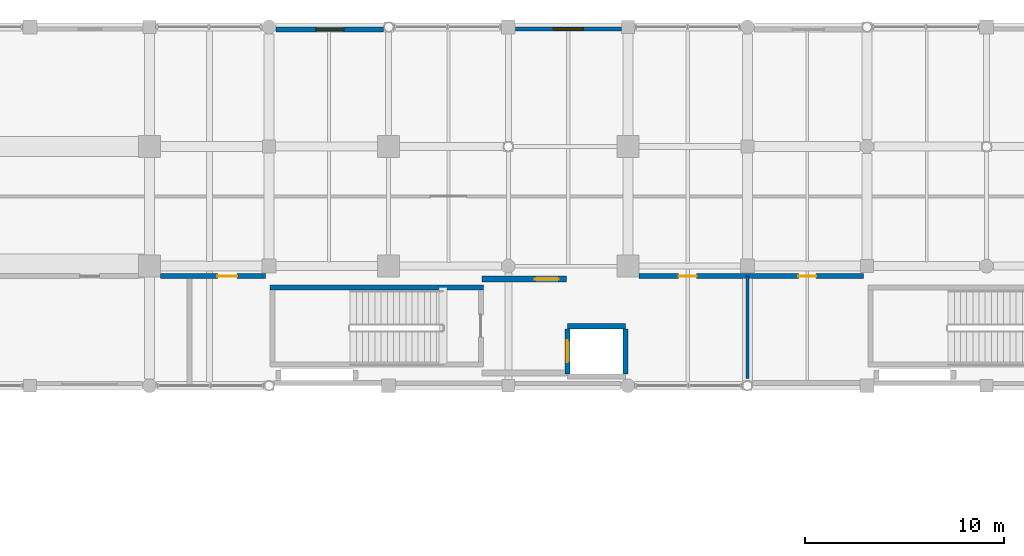
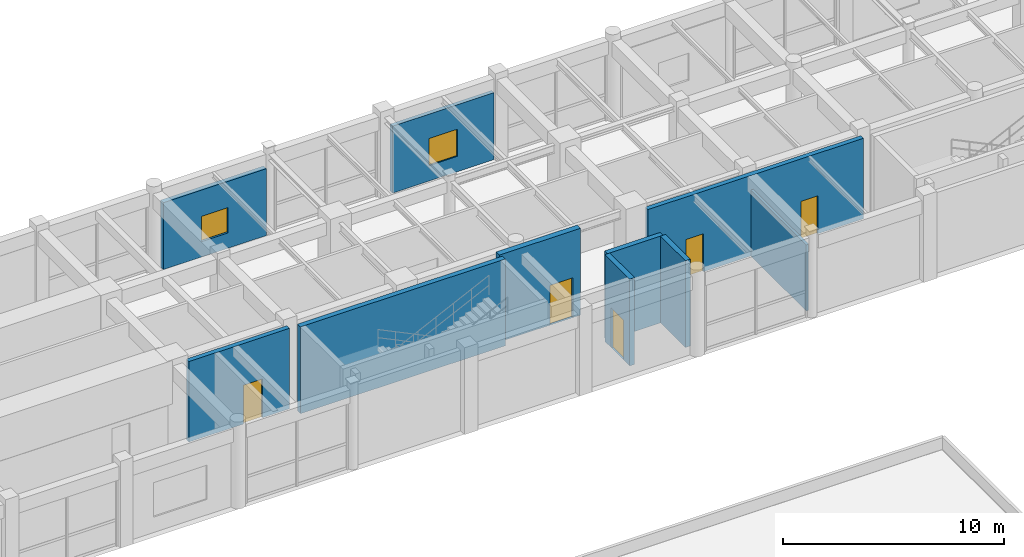
# One storey, part 101 of 123: 10 walls, 5 doors, 2 windows, 7 openings.
"""IFC4 building model written with IfcOpenShell, lengths in metres."""

from ifc_helpers import new_model, si_unit, direction, frame, frame_2d, origin, place, context, subcontext, project, spatial, rectangle, extrude, material, layer, layer_set, type_object, element, fill, save


model = new_model("IFC4")

# Units and contexts
model_context = context("Model", 3, precision=1e-05, world=origin(), true_north=direction((0.0, 1.0)))
body_context = subcontext(model_context, "Body", "Model", "MODEL_VIEW")
ifc_project = project(units=[si_unit("LENGTHUNIT", "METRE"), si_unit("AREAUNIT", "SQUARE_METRE"), si_unit("VOLUMEUNIT", "CUBIC_METRE"), si_unit("PLANEANGLEUNIT", "RADIAN"), si_unit("MASSUNIT", "GRAM", prefix="KILO"), si_unit("THERMODYNAMICTEMPERATUREUNIT", "KELVIN"), si_unit("POWERUNIT", "WATT")], contexts=[model_context])

# Site, building, storey
site_placement = place(None, origin())
site = spatial("IfcSite", under=ifc_project, at=site_placement, CompositionType="ELEMENT")
building_placement = place(site_placement, origin())
building = spatial("IfcBuilding", under=site, at=building_placement, Name="Phaisarnlok Congress Hotel", CompositionType="ELEMENT")
storey_placement = place(building_placement, frame((0.0, 0.0, 15.0)))
storey = spatial("IfcBuildingStorey", under=building, at=storey_placement, Name="L03", CompositionType="ELEMENT", Elevation=15.0)

# Wall, opening, window
ifc_material_1 = material(Name="Concrete C40/50", Category="concrete")
ifc_layer_1 = layer(ifc_material_1, 0.2099609375, Name="Concrete C40/50")
ifc_layer_set_1 = layer_set([ifc_layer_1], Name="Concrete C40/50")
wall_type_1 = type_object("IfcWallType", Name="WL-EXT-210", PredefinedType="SOLIDWALL", material=ifc_layer_set_1)
wall_1_placement = place(storey_placement, frame((119.669921875, 125.89501953125, 0.0), z_axis=(0.0, 0.0, 1.0), x_axis=(-1.0, 0.0, 0.0)))
wall_1 = element("IfcWall", 1, at=wall_1_placement, inside=storey, type_object=wall_type_1, Name="Exterior wall EW-07 (L03)", PredefinedType="SOLIDWALL", context=body_context, shape_type="SweptSolid", body=[
    extrude(rectangle(XDim=5.31494140625, YDim=0.2099609375, at=frame_2d((2.657470703125, 0.0))), origin(), (0.0, 0.0, 1.0), 3.699951171875),
])
opening_1_placement = place(wall_1_placement, frame((1.906982421875, 0.0, 0.85009765625)))
opening_1 = element("IfcOpeningElement", 2, at=opening_1_placement, cuts=wall_1, Name="Opening W-12", PredefinedType="OPENING", context=body_context, shape_type="SweptSolid", body=[
    extrude(rectangle(XDim=1.5, YDim=1.5, at=frame_2d((0.75, 0.75))), frame((0.0, 0.114990234375, 0.0), z_axis=(0.0, -1.0, 0.0), x_axis=(1.0, 0.0, 0.0)), (0.0, 0.0, 1.0), 0.22998046875),
])
ifc_material_2 = material(Name="Thermally Broken Aluminium & Low-E Double Glazing", Category="aluminium")
window_type_1 = type_object("IfcWindowType", Name="WIN-POD-1500", PartitioningType="SINGLE_PANEL", PredefinedType="WINDOW", material=ifc_material_2)
window_1_placement = place(opening_1_placement, origin())
window_1 = element("IfcWindow", 3, at=window_1_placement, inside=storey, type_object=window_type_1, Name="Podium window W-12 (L03)", OverallHeight=1.5, OverallWidth=1.5, PartitioningType="SINGLE_PANEL", PredefinedType="WINDOW", context=body_context, shape_type="SweptSolid", body=[
    extrude(rectangle(XDim=1.5, YDim=1.5, at=frame_2d((0.75, 0.75))), frame((0.0, 0.030029296875, 0.0), z_axis=(0.0, -1.0, 0.0), x_axis=(1.0, 0.0, 0.0)), (0.0, 0.0, 1.0), 0.06005859375),
])
fill(opening_1, window_1)

ifc_layer_2 = layer(ifc_material_1, 0.25, Name="Concrete C40/50")
ifc_layer_set_2 = layer_set([ifc_layer_2], Name="Concrete C40/50")
wall_type_2 = type_object("IfcWallType", Name="WL-EXT-250", PredefinedType="SOLIDWALL", material=ifc_layer_set_2)
wall_2_placement = place(storey_placement, frame((107.740966796875, 125.875, 0.0), z_axis=(0.0, 0.0, 1.0), x_axis=(-1.0, 0.0, 0.0)))
wall_2 = element("IfcWall", 4, at=wall_2_placement, inside=storey, type_object=wall_type_2, Name="Exterior wall EW-05 (L03)", PredefinedType="SOLIDWALL", context=body_context, shape_type="SweptSolid", body=[
    extrude(rectangle(XDim=5.385986328125, YDim=0.25, at=frame_2d((2.69287109375, 0.0))), origin(), (0.0, 0.0, 1.0), 3.699951171875),
])
opening_2_placement = place(wall_2_placement, frame((1.992919921875, 0.0, 0.85009765625)))
opening_2 = element("IfcOpeningElement", 5, at=opening_2_placement, cuts=wall_2, Name="Opening W-13", PredefinedType="OPENING", context=body_context, shape_type="SweptSolid", body=[
    extrude(rectangle(XDim=1.39990234375, YDim=1.39990234375, at=frame_2d((0.699951171875, 0.699951171875))), frame((0.0, 0.135009765625, 0.0), z_axis=(0.0, -1.0, 0.0), x_axis=(1.0, 0.0, 0.0)), (0.0, 0.0, 1.0), 0.27001953125),
])
window_type_2 = type_object("IfcWindowType", Name="WIN-POD-1400", PartitioningType="SINGLE_PANEL", PredefinedType="WINDOW", material=ifc_material_2)
window_2_placement = place(opening_2_placement, origin())
window_2 = element("IfcWindow", 6, at=window_2_placement, inside=storey, type_object=window_type_2, Name="Podium window W-13 (L03)", OverallHeight=1.39990234375, OverallWidth=1.39990234375, PartitioningType="SINGLE_PANEL", PredefinedType="WINDOW", context=body_context, shape_type="SweptSolid", body=[
    extrude(rectangle(XDim=1.39990234375, YDim=1.39990234375, at=frame_2d((0.699951171875, 0.699951171875))), frame((0.0, 0.030029296875, 0.0), z_axis=(0.0, -1.0, 0.0), x_axis=(1.0, 0.0, 0.0)), (0.0, 0.0, 1.0), 0.06005859375),
])
fill(opening_2, window_2)

# Wall
ifc_material_3 = material(Name="Moisture-Resistant Gypsum Partition", Category="gypsum")
ifc_layer_3 = layer(ifc_material_3, 0.135009765625, Name="Moisture-Resistant Gypsum Partition")
ifc_layer_set_3 = layer_set([ifc_layer_3], Name="Moisture-Resistant Gypsum Partition")
wall_type_3 = type_object("IfcWallType", Name="WL-INT-135", PredefinedType="PARTITIONING", material=ifc_layer_set_3)
wall_3_placement = place(storey_placement, frame((126.0, 108.3701171875, 0.0), z_axis=(0.0, 0.0, 1.0), x_axis=(0.0, 1.0, 0.0)))
element("IfcWall", 7, at=wall_3_placement, inside=storey, type_object=wall_type_3, Name="Interior partition wall IW-06 (L03)", PredefinedType="PARTITIONING", context=body_context, shape_type="SweptSolid", body=[
    extrude(rectangle(XDim=5.1298828125, YDim=0.135009765625, at=frame_2d((2.56494140625, 0.0))), origin(), (0.0, 0.0, 1.0), 3.64990234375),
])

# Wall, opening, door
ifc_layer_4 = layer(ifc_material_1, 0.239990234375, Name="Concrete C40/50")
ifc_layer_set_4 = layer_set([ifc_layer_4], Name="Concrete C40/50")
wall_type_4 = type_object("IfcWallType", Name="WL-INT-240", PredefinedType="PARTITIONING", material=ifc_layer_set_4)
wall_4_placement = place(storey_placement, frame((96.554931640625, 113.5, 0.0), z_axis=(0.0, 0.0, 1.0), x_axis=(1.0, 0.0, 0.0)))
wall_4 = element("IfcWall", 8, at=wall_4_placement, inside=storey, type_object=wall_type_4, Name="Interior partition wall IW-01 (L03)", PredefinedType="PARTITIONING", context=body_context, shape_type="SweptSolid", body=[
    extrude(rectangle(XDim=5.26513671875, YDim=0.239990234375, at=frame_2d((2.632568359375, 0.0))), origin(), (0.0, 0.0, 1.0), 4.449951171875),
])
opening_3_placement = place(wall_4_placement, frame((2.844970703125, 0.0, 0.0)))
opening_3 = element("IfcOpeningElement", 9, at=opening_3_placement, cuts=wall_4, Name="Opening D-0123", PredefinedType="OPENING", context=body_context, shape_type="SweptSolid", body=[
    extrude(rectangle(XDim=1.0, YDim=2.14990234375, at=frame_2d((0.5, 1.074951171875))), frame((0.0, 0.1298828125, 0.0), z_axis=(0.0, -1.0, 0.0), x_axis=(1.0, 0.0, 0.0)), (0.0, 0.0, 1.0), 0.260009765625),
])
ifc_material_4 = material(Name="Solid-Core Oak Veneer", Category="wood")
door_type_1 = type_object("IfcDoorType", Name="DR-INT-1000", OperationType="NOTDEFINED", PredefinedType="DOOR", material=ifc_material_4)
door_1_placement = place(opening_3_placement, origin())
door_1 = element("IfcDoor", 10, at=door_1_placement, inside=storey, type_object=door_type_1, Name="Interior door D-0123 (L03)", OperationType="SINGLE_SWING_LEFT", OverallHeight=2.14990234375, OverallWidth=1.0, PredefinedType="DOOR", context=body_context, shape_type="SweptSolid", body=[
    extrude(rectangle(XDim=1.0, YDim=2.14990234375, at=frame_2d((0.5, 1.074951171875))), frame((0.0, 0.02490234375, 0.0), z_axis=(0.0, -1.0, 0.0), x_axis=(1.0, 0.0, 0.0)), (0.0, 0.0, 1.0), 0.050048828125),
])
fill(opening_3, door_1)

# Wall, openings, doors
wall_5_placement = place(storey_placement, frame((120.554931640625, 113.5, 0.0), z_axis=(0.0, 0.0, 1.0), x_axis=(1.0, 0.0, 0.0)))
wall_5 = element("IfcWall", 11, at=wall_5_placement, inside=storey, type_object=wall_type_4, Name="Interior partition wall IW-01 (L03)", PredefinedType="PARTITIONING", context=body_context, shape_type="SweptSolid", body=[
    extrude(rectangle(XDim=11.26513671875, YDim=0.239990234375, at=frame_2d((5.632568359375, 0.0))), origin(), (0.0, 0.0, 1.0), 4.449951171875),
])
opening_4_placement = place(wall_5_placement, frame((1.9951171875, 0.0, 0.0)))
opening_4 = element("IfcOpeningElement", 12, at=opening_4_placement, cuts=wall_5, Name="Opening D-0120", PredefinedType="OPENING", context=body_context, shape_type="SweptSolid", body=[
    extrude(rectangle(XDim=0.89990234375, YDim=2.10009765625, at=frame_2d((0.449951171875, 1.050048828125))), frame((0.0, 0.1298828125, 0.0), z_axis=(0.0, -1.0, 0.0), x_axis=(1.0, 0.0, 0.0)), (0.0, 0.0, 1.0), 0.260009765625),
])
opening_5_placement = place(wall_5_placement, frame((7.9951171875, 0.0, 0.0)))
opening_5 = element("IfcOpeningElement", 13, at=opening_5_placement, cuts=wall_5, Name="Opening D-0121", PredefinedType="OPENING", context=body_context, shape_type="SweptSolid", body=[
    extrude(rectangle(XDim=0.89990234375, YDim=2.10009765625, at=frame_2d((0.449951171875, 1.050048828125))), frame((0.0, 0.1298828125, 0.0), z_axis=(0.0, -1.0, 0.0), x_axis=(1.0, 0.0, 0.0)), (0.0, 0.0, 1.0), 0.260009765625),
])
door_type_2 = type_object("IfcDoorType", Name="DR-INT-900", OperationType="NOTDEFINED", PredefinedType="DOOR", material=ifc_material_4)
door_2_placement = place(opening_4_placement, origin())
door_2 = element("IfcDoor", 14, at=door_2_placement, inside=storey, type_object=door_type_2, Name="Interior door D-0120 (L03)", OperationType="SINGLE_SWING_RIGHT", OverallHeight=2.10009765625, OverallWidth=0.89990234375, PredefinedType="DOOR", context=body_context, shape_type="SweptSolid", body=[
    extrude(rectangle(XDim=0.89990234375, YDim=2.10009765625, at=frame_2d((0.449951171875, 1.050048828125))), frame((0.0, 0.02490234375, 0.0), z_axis=(0.0, -1.0, 0.0), x_axis=(1.0, 0.0, 0.0)), (0.0, 0.0, 1.0), 0.050048828125),
])
fill(opening_4, door_2)
door_3_placement = place(opening_5_placement, origin())
door_3 = element("IfcDoor", 15, at=door_3_placement, inside=storey, type_object=door_type_2, Name="Interior door D-0121 (L03)", OperationType="SINGLE_SWING_LEFT", OverallHeight=2.10009765625, OverallWidth=0.89990234375, PredefinedType="DOOR", context=body_context, shape_type="SweptSolid", body=[
    extrude(rectangle(XDim=0.89990234375, YDim=2.10009765625, at=frame_2d((0.449951171875, 1.050048828125))), frame((0.0, 0.02490234375, 0.0), z_axis=(0.0, -1.0, 0.0), x_axis=(1.0, 0.0, 0.0)), (0.0, 0.0, 1.0), 0.050048828125),
])
fill(opening_5, door_3)

# Walls
ifc_material_5 = material(Name="Concrete C50/60", Category="concrete")
ifc_layer_5 = layer(ifc_material_5, 0.260009765625, Name="Concrete C50/60")
ifc_layer_set_5 = layer_set([ifc_layer_5], Name="Concrete C50/60")
wall_type_5 = type_object("IfcWallType", Name="WL-SHR-260", PredefinedType="SHEAR", material=ifc_layer_set_5)
wall_6_placement = place(storey_placement, frame((102.0400390625, 112.929931640625, 0.0), z_axis=(0.0, 0.0, 1.0), x_axis=(1.0, 0.0, 0.0)))
element("IfcWall", 16, at=wall_6_placement, inside=storey, type_object=wall_type_5, Name="Stair shaft shear wall SW-04 (CORE-4 L03)", PredefinedType="SHEAR", context=body_context, shape_type="SweptSolid", body=[
    extrude(rectangle(XDim=10.719970703125, YDim=0.260009765625, at=frame_2d((5.35986328125, 0.0))), origin(), (0.0, 0.0, 1.0), 4.800048828125),
])
wall_7_placement = place(storey_placement, frame((116.969970703125, 110.97998046875, 0.0), z_axis=(0.0, 0.0, 1.0), x_axis=(1.0, 0.0, 0.0)))
element("IfcWall", 17, at=wall_7_placement, inside=storey, type_object=wall_type_5, Name="Lift shaft shear wall SW-04 (LF-HP4 L03)", PredefinedType="SHEAR", context=body_context, shape_type="SweptSolid", body=[
    extrude(rectangle(XDim=2.909912109375, YDim=0.260009765625, at=frame_2d((1.455078125, 0.0))), origin(), (0.0, 0.0, 1.0), 4.800048828125),
])
wall_8_placement = place(storey_placement, frame((119.8798828125, 108.60009765625, 0.0), z_axis=(0.0, 0.0, 1.0), x_axis=(0.0, 1.0, 0.0)))
element("IfcWall", 18, at=wall_8_placement, inside=storey, type_object=wall_type_5, Name="Lift shaft shear wall SW-04 (LF-HP4 L03)", PredefinedType="SHEAR", context=body_context, shape_type="SweptSolid", body=[
    extrude(rectangle(XDim=2.25, YDim=0.260009765625, at=frame_2d((1.125, 0.0))), origin(), (0.0, 0.0, 1.0), 4.800048828125),
])

# Wall, opening, door
wall_9_placement = place(storey_placement, frame((116.969970703125, 108.60009765625, 0.0), z_axis=(0.0, 0.0, 1.0), x_axis=(0.0, 1.0, 0.0)))
wall_9 = element("IfcWall", 19, at=wall_9_placement, inside=storey, type_object=wall_type_5, Name="Lift shaft front wall SW-04 (LF-HP4 L03)", PredefinedType="SHEAR", context=body_context, shape_type="SweptSolid", body=[
    extrude(rectangle(XDim=2.25, YDim=0.260009765625, at=frame_2d((1.125, 0.0))), origin(), (0.0, 0.0, 1.0), 4.800048828125),
])
opening_6_placement = place(wall_9_placement, frame((0.574951171875, 0.0, 0.0)))
opening_6 = element("IfcOpeningElement", 20, at=opening_6_placement, cuts=wall_9, Name="Opening LD-095", PredefinedType="OPENING", context=body_context, shape_type="SweptSolid", body=[
    extrude(rectangle(XDim=1.10009765625, YDim=2.199951171875, at=frame_2d((0.550048828125, 1.10009765625))), frame((0.0, 0.14013671875, 0.0), z_axis=(0.0, -1.0, 0.0), x_axis=(1.0, 0.0, 0.0)), (0.0, 0.0, 1.0), 0.280029296875),
])
ifc_material_6 = material(Name="Brushed Stainless Steel Grade 304", Category="steel")
door_type_3 = type_object("IfcDoorType", Name="DR-LD-1100", OperationType="DOUBLE_DOOR_SLIDING", PredefinedType="DOOR", material=ifc_material_6)
door_4_placement = place(opening_6_placement, origin())
door_4 = element("IfcDoor", 21, at=door_4_placement, inside=storey, type_object=door_type_3, Name="Lift landing sliding door LD-095 (LF-HP4 L03)", OperationType="DOUBLE_DOOR_SLIDING", OverallHeight=2.199951171875, OverallWidth=1.10009765625, PredefinedType="DOOR", context=body_context, shape_type="SweptSolid", body=[
    extrude(rectangle(XDim=1.10009765625, YDim=2.199951171875, at=frame_2d((0.550048828125, 1.10009765625))), frame((0.0, 0.02490234375, 0.0), z_axis=(0.0, -1.0, 0.0), x_axis=(1.0, 0.0, 0.0)), (0.0, 0.0, 1.0), 0.050048828125),
])
fill(opening_6, door_4)

ifc_layer_6 = layer(ifc_material_5, 0.300048828125, Name="Concrete C50/60")
ifc_layer_set_6 = layer_set([ifc_layer_6], Name="Concrete C50/60")
wall_type_6 = type_object("IfcWallType", Name="WL-SHR-300", PredefinedType="SHEAR", material=ifc_layer_set_6)
wall_10_placement = place(storey_placement, frame((112.679931640625, 113.35009765625, 0.0), z_axis=(0.0, 0.0, 1.0), x_axis=(1.0, 0.0, 0.0)))
wall_10 = element("IfcWall", 22, at=wall_10_placement, inside=storey, type_object=wall_type_6, Name="Core lobby EI-120 wall SW-03 (CORE-4 L03)", PredefinedType="SHEAR", context=body_context, shape_type="SweptSolid", body=[
    extrude(rectangle(XDim=4.239990234375, YDim=0.300048828125, at=frame_2d((2.1201171875, 0.0))), origin(), (0.0, 0.0, 1.0), 4.800048828125),
])
opening_7_placement = place(wall_10_placement, frame((2.64990234375, 0.0, 0.0)))
opening_7 = element("IfcOpeningElement", 23, at=opening_7_placement, cuts=wall_10, Name="Opening FD-110", PredefinedType="OPENING", context=body_context, shape_type="SweptSolid", body=[
    extrude(rectangle(XDim=1.199951171875, YDim=2.199951171875, at=frame_2d((0.60009765625, 1.10009765625))), frame((0.0, 0.16015625, 0.0), z_axis=(0.0, -1.0, 0.0), x_axis=(1.0, 0.0, 0.0)), (0.0, 0.0, 1.0), 0.320068359375),
])
ifc_material_7 = material(Name="Fire-Rated Steel Frame & Timber Leaf", Category="steel")
door_type_4 = type_object("IfcDoorType", Name="DR-FD60-1200", OperationType="NOTDEFINED", PredefinedType="DOOR", material=ifc_material_7)
door_5_placement = place(opening_7_placement, origin())
door_5 = element("IfcDoor", 24, at=door_5_placement, inside=storey, type_object=door_type_4, Name="Firefighting lobby entrance door FD-110 (CORE-4 L03)", OperationType="SINGLE_SWING_LEFT", OverallHeight=2.199951171875, OverallWidth=1.199951171875, PredefinedType="DOOR", context=body_context, shape_type="SweptSolid", body=[
    extrude(rectangle(XDim=1.199951171875, YDim=2.199951171875, at=frame_2d((0.60009765625, 1.10009765625))), frame((0.0, 0.02490234375, 0.0), z_axis=(0.0, -1.0, 0.0), x_axis=(1.0, 0.0, 0.0)), (0.0, 0.0, 1.0), 0.050048828125),
])
fill(opening_7, door_5)

save(model, "model.ifc")
